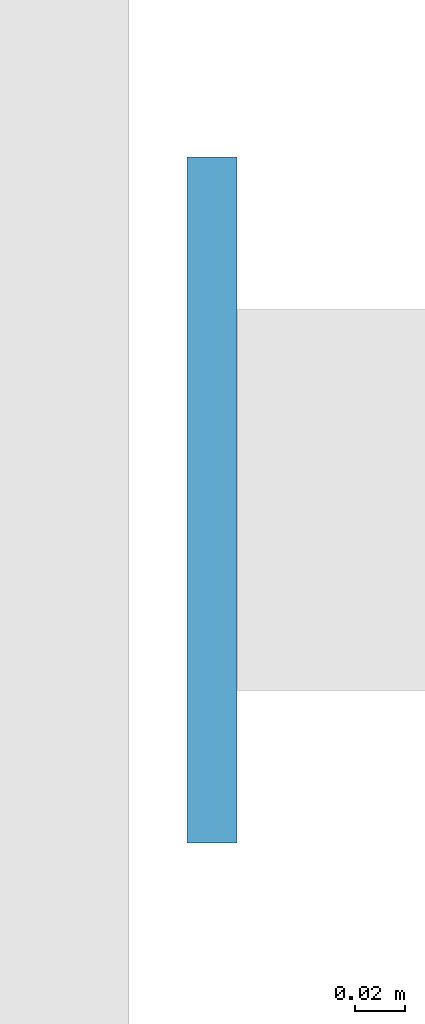
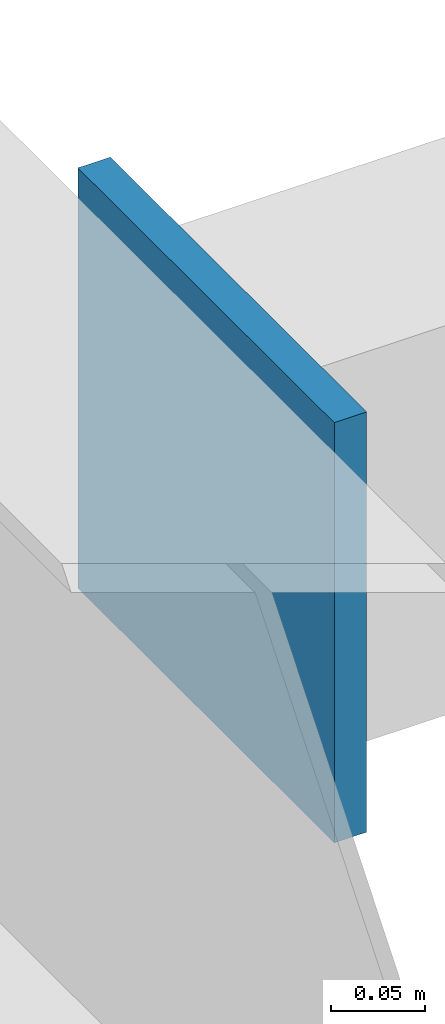
# One storey, part 112 of 179: 1 plate.
"""IFC4 building model written with IfcOpenShell, lengths in metres."""

from ifc_helpers import new_model, si_unit, direction, frame, origin, origin_2d, place, context, subcontext, project, spatial, rectangle, extrude, material, layer, layer_set, type_object, element, save


model = new_model("IFC4")

# Units and contexts
model_context = context("Model", 3, precision=1e-05, world=origin(), true_north=direction((0.0, 1.0)))
body_context = subcontext(model_context, "Body", "Model", "MODEL_VIEW")
ifc_project = project(units=[si_unit("LENGTHUNIT", "METRE"), si_unit("AREAUNIT", "SQUARE_METRE"), si_unit("VOLUMEUNIT", "CUBIC_METRE"), si_unit("PLANEANGLEUNIT", "RADIAN"), si_unit("MASSUNIT", "GRAM", prefix="KILO")], contexts=[model_context])

# Site, building, storey
site_placement = place(None, origin())
site = spatial("IfcSite", under=ifc_project, at=site_placement, CompositionType="ELEMENT")
building_placement = place(site_placement, origin())
building = spatial("IfcBuilding", under=site, at=building_placement, Name="Corvandel Quay Wholesale Market", CompositionType="ELEMENT")
storey_placement = place(building_placement, frame((0.0, 0.0, 6.0)))
storey = spatial("IfcBuildingStorey", under=building, at=storey_placement, Name="L01", CompositionType="ELEMENT", Elevation=6.0)

# Plate
ifc_material = material(Name="Steel A572 Grade 50", Category="steel")
ifc_layer = layer(ifc_material, 0.02001953125)
ifc_layer_set = layer_set([ifc_layer], Name="Steel A572 Grade 50")
plate_type = type_object("IfcPlateType", Name="Steel HSS End Cap Plate PLT01 20mm", PredefinedType="SHEET", material=ifc_layer_set)
plate_placement = place(storey_placement, frame((-2.47802734375, 100.0, -0.487060546875), z_axis=(0.0, 0.0, 1.0), x_axis=(0.0, 1.0, 0.0)))
element("IfcPlate", 1, at=plate_placement, inside=storey, type_object=plate_type, Name="HSS Cap Plate PLT-0127", PredefinedType="SHEET", context=body_context, shape_type="SweptSolid", body=[
    extrude(rectangle(XDim=0.27392578125, YDim=0.02001953125, at=origin_2d()), origin(), (0.0, 0.0, 1.0), 0.27392578125),
])

save(model, "model.ifc")
